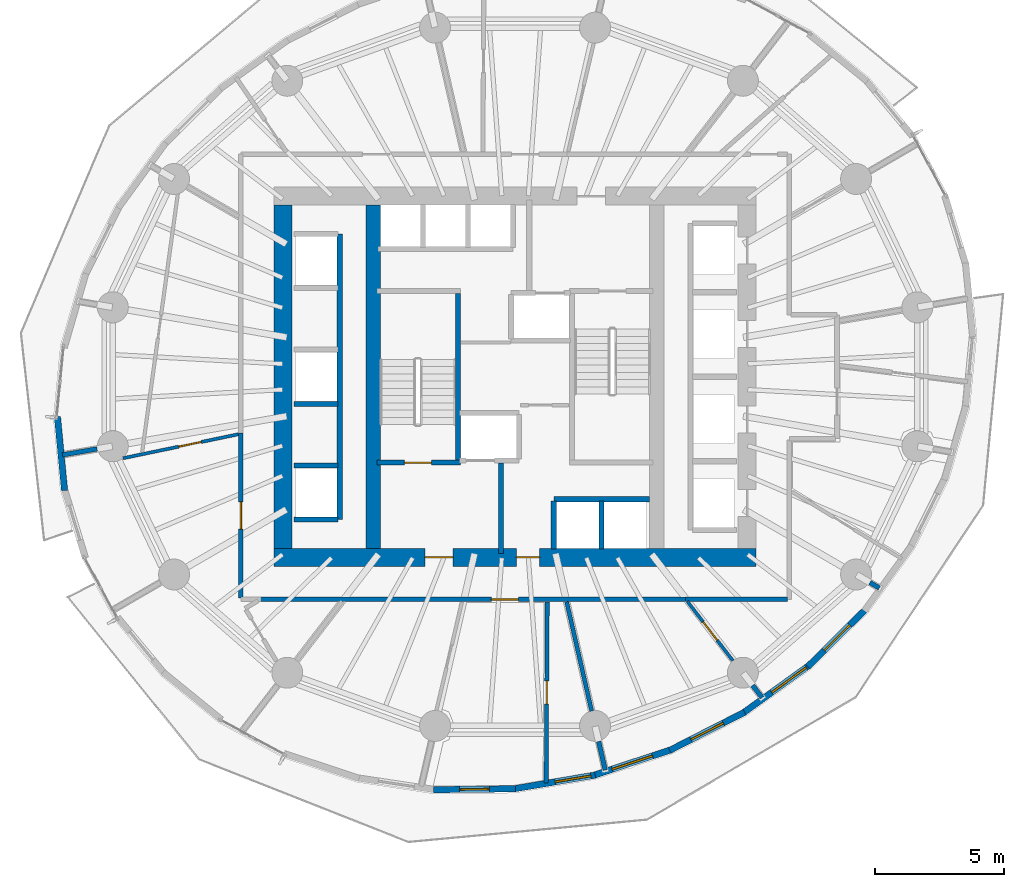
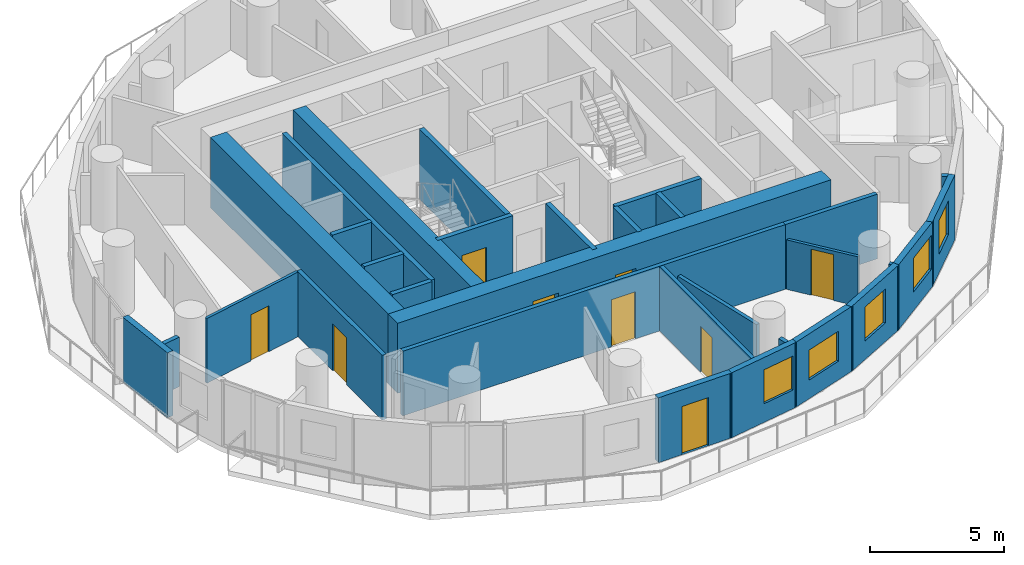
# One storey, part 7 of 14: 31 walls, 9 doors, 5 windows, 14 openings.
"""IFC4 building model written with IfcOpenShell, lengths in metres."""

from ifc_helpers import new_model, si_unit, direction, frame, frame_2d, origin, place, context, subcontext, project, spatial, rectangle, extrude, material, layer, layer_set, type_object, element, fill, save


model = new_model("IFC4")

# Units and contexts
model_context = context("Model", 3, precision=1e-05, world=origin(), true_north=direction((0.0, 1.0)))
body_context = subcontext(model_context, "Body", "Model", "MODEL_VIEW")
ifc_project = project(units=[si_unit("LENGTHUNIT", "METRE"), si_unit("AREAUNIT", "SQUARE_METRE"), si_unit("VOLUMEUNIT", "CUBIC_METRE"), si_unit("PLANEANGLEUNIT", "RADIAN"), si_unit("MASSUNIT", "GRAM", prefix="KILO")], contexts=[model_context])

# Site, building, storey
site_placement = place(None, origin())
site = spatial("IfcSite", under=ifc_project, at=site_placement, CompositionType="ELEMENT")
building_placement = place(site_placement, origin())
building = spatial("IfcBuilding", under=site, at=building_placement, Name="Veldorim Arch Residences", CompositionType="ELEMENT")
storey_placement = place(building_placement, frame((0.0, 0.0, 99.679931640625)))
storey = spatial("IfcBuildingStorey", under=building, at=storey_placement, Name="L29", CompositionType="ELEMENT", Elevation=99.679931640625)

# Wall, opening, door
ifc_material_1 = material(Name="Acoustic Gypsum Board", Category="gypsum")
ifc_layer_1 = layer(ifc_material_1, 0.125, Name="Acoustic Stud Room Partition Wall 125")
ifc_layer_set_1 = layer_set([ifc_layer_1], Name="Acoustic Gypsum Board")
wall_type_1 = type_object("IfcWallType", Name="Acoustic Stud Room Partition Wall 125", PredefinedType="PARTITIONING", material=ifc_layer_set_1)
wall_1_placement = place(storey_placement, frame((40.4423828125, 12.99365234375, 0.0), z_axis=(0.0, 0.0, 1.0), x_axis=(-0.608613879959, 0.793466536863, 0.0)))
wall_1 = element("IfcWall", 1, at=wall_1_placement, inside=storey, type_object=wall_type_1, Name="L29 interior wall WL-RES-L29-020", PredefinedType="PARTITIONING", context=body_context, shape_type="SweptSolid", body=[
    extrude(rectangle(XDim=2.89501953125, YDim=0.125, at=frame_2d((1.447509765625, 0.0))), origin(), (0.0, 0.0, 1.0), 2.2607421875),
])
opening_1_placement = place(wall_1_placement, frame((0.99755859375, 0.0, 0.0)))
opening_1 = element("IfcOpeningElement", 2, at=opening_1_placement, cuts=wall_1, Name="Opening DR-INT", PredefinedType="OPENING", context=body_context, shape_type="SweptSolid", body=[
    extrude(rectangle(XDim=0.89990234375, YDim=2.10009765625, at=frame_2d((0.449951171875, 1.050048828125))), frame((0.0, 0.072509765625, 0.0), z_axis=(0.0, -1.0, 0.0), x_axis=(1.0, 0.0, 0.0)), (0.0, 0.0, 1.0), 0.14501953125),
])
ifc_material_2 = material(Name="Engineered Timber", Category="wood")
door_type_1 = type_object("IfcDoorType", Name="Apartment Internal Room Timber Door 900x2100", OperationType="SINGLE_SWING_LEFT", PredefinedType="DOOR", material=ifc_material_2)
door_1_placement = place(opening_1_placement, origin())
door_1 = element("IfcDoor", 3, at=door_1_placement, inside=storey, type_object=door_type_1, Name="L29 interior door DR-RES-L29-007", OperationType="SINGLE_SWING_LEFT", OverallHeight=2.10009765625, OverallWidth=0.89990234375, PredefinedType="DOOR", context=body_context, shape_type="SweptSolid", body=[
    extrude(rectangle(XDim=0.89990234375, YDim=2.10009765625, at=frame_2d((0.449951171875, 1.050048828125))), frame((0.0, 0.02490234375, 0.0), z_axis=(0.0, -1.0, 0.0), x_axis=(1.0, 0.0, 0.0)), (0.0, 0.0, 1.0), 0.050048828125),
])
fill(opening_1, door_1)

wall_2_placement = place(storey_placement, frame((16.80126953125, 20.841796875, 0.0), z_axis=(0.0, 0.0, 1.0), x_axis=(0.979089254375, 0.203431147977, 0.0)))
wall_2 = element("IfcWall", 4, at=wall_2_placement, inside=storey, type_object=wall_type_1, Name="L29 interior wall WL-RES-L29-031", PredefinedType="PARTITIONING", context=body_context, shape_type="SweptSolid", body=[
    extrude(rectangle(XDim=4.56640625, YDim=0.125, at=frame_2d((2.283203125, 0.0))), origin(), (0.0, 0.0, 1.0), 2.955078125),
])
opening_2_placement = place(wall_2_placement, frame((2.1962890625, 0.0, 0.0)))
opening_2 = element("IfcOpeningElement", 5, at=opening_2_placement, cuts=wall_2, Name="Opening DR-INT", PredefinedType="OPENING", context=body_context, shape_type="SweptSolid", body=[
    extrude(rectangle(XDim=0.89990234375, YDim=2.10009765625, at=frame_2d((0.449951171875, 1.050048828125))), frame((0.0, 0.072509765625, 0.0), z_axis=(0.0, -1.0, 0.0), x_axis=(1.0, 0.0, 0.0)), (0.0, 0.0, 1.0), 0.14501953125),
])
door_2_placement = place(opening_2_placement, origin())
door_2 = element("IfcDoor", 6, at=door_2_placement, inside=storey, type_object=door_type_1, Name="L29 interior door DR-RES-L29-018", OperationType="SINGLE_SWING_RIGHT", OverallHeight=2.10009765625, OverallWidth=0.89990234375, PredefinedType="DOOR", context=body_context, shape_type="SweptSolid", body=[
    extrude(rectangle(XDim=0.89990234375, YDim=2.10009765625, at=frame_2d((0.449951171875, 1.050048828125))), frame((0.0, 0.02490234375, 0.0), z_axis=(0.0, -1.0, 0.0), x_axis=(1.0, 0.0, 0.0)), (0.0, 0.0, 1.0), 0.050048828125),
])
fill(opening_2, door_2)

# Walls
ifc_material_3 = material(Name="Lightweight Masonry Block & Gypsum", Category="masonry")
ifc_layer_2 = layer(ifc_material_3, 0.179931640625, Name="Compartment & Corridor Fire-Rated Party Wall 180")
ifc_layer_set_2 = layer_set([ifc_layer_2], Name="Lightweight Masonry Block & Gypsum")
wall_type_2 = type_object("IfcWallType", Name="Compartment & Corridor Fire-Rated Party Wall 180", PredefinedType="PARTITIONING", material=ifc_layer_set_2)
wall_3_placement = place(storey_placement, frame((15.79443359375, 21.202392578125, 0.0), z_axis=(0.0, 0.0, 1.0), x_axis=(-0.98540615772, -0.170219576807, 0.0)))
element("IfcWall", 7, at=wall_3_placement, inside=storey, type_object=wall_type_2, Name="L29 interior wall WL-PIER-L29-09", PredefinedType="PARTITIONING", context=body_context, shape_type="SweptSolid", body=[
    extrude(rectangle(XDim=1.359619140625, YDim=0.179931640625, at=frame_2d((0.6796875, 0.0))), origin(), (0.0, 0.0, 1.0), 2.2607421875),
])
wall_4_placement = place(storey_placement, frame((35.240478515625, 9.86083984375, 0.0), z_axis=(0.0, 0.0, 1.0), x_axis=(0.223325248633, -0.974743983476, 0.0)))
element("IfcWall", 8, at=wall_4_placement, inside=storey, type_object=wall_type_2, Name="L29 interior wall WL-PIER-L29-13", PredefinedType="PARTITIONING", context=body_context, shape_type="SweptSolid", body=[
    extrude(rectangle(XDim=1.13916015625, YDim=0.179931640625, at=frame_2d((0.569580078125, 0.0))), origin(), (0.0, 0.0, 1.0), 2.2607421875),
])
wall_5_placement = place(storey_placement, frame((41.2119140625, 12.034423828125, 0.0), z_axis=(0.0, 0.0, 1.0), x_axis=(0.609809319142, -0.792548165279, 0.0)))
element("IfcWall", 9, at=wall_5_placement, inside=storey, type_object=wall_type_2, Name="L29 interior wall WL-PIER-L29-14", PredefinedType="PARTITIONING", context=body_context, shape_type="SweptSolid", body=[
    extrude(rectangle(XDim=0.5986328125, YDim=0.179931640625, at=frame_2d((0.29931640625, 0.0))), origin(), (0.0, 0.0, 1.0), 2.2607421875),
])
wall_6_placement = place(storey_placement, frame((45.756591796875, 16.022216796875, 0.0), z_axis=(0.0, 0.0, 1.0), x_axis=(0.864926134071, -0.501899175733, 0.0)))
element("IfcWall", 10, at=wall_6_placement, inside=storey, type_object=wall_type_2, Name="L29 interior wall WL-PIER-L29-15", PredefinedType="PARTITIONING", context=body_context, shape_type="SweptSolid", body=[
    extrude(rectangle(XDim=0.423583984375, YDim=0.179931640625, at=frame_2d((0.2119140625, 0.0))), origin(), (0.0, 0.0, 1.0), 2.2607421875),
])

# Wall, opening, door
wall_7_placement = place(storey_placement, frame((38.644775390625, 15.3701171875, 0.0), z_axis=(0.0, 0.0, 1.0), x_axis=(-1.0, 0.0, 0.0)))
wall_7 = element("IfcWall", 11, at=wall_7_placement, inside=storey, type_object=wall_type_2, Name="L29 interior wall WL-RES-L29-001", PredefinedType="PARTITIONING", context=body_context, shape_type="SweptSolid", body=[
    extrude(rectangle(XDim=16.556640625, YDim=0.179931640625, at=frame_2d((8.2783203125, 0.0))), origin(), (0.0, 0.0, 1.0), 2.955078125),
])
opening_3_placement = place(wall_7_placement, frame((6.51318359375, 0.0, 0.0)))
opening_3 = element("IfcOpeningElement", 12, at=opening_3_placement, cuts=wall_7, Name="Opening DR-FLT", PredefinedType="OPENING", context=body_context, shape_type="SweptSolid", body=[
    extrude(rectangle(XDim=1.050048828125, YDim=2.14990234375, at=frame_2d((0.52490234375, 1.074951171875))), frame((0.0, 0.099853515625, 0.0), z_axis=(0.0, -1.0, 0.0), x_axis=(1.0, 0.0, 0.0)), (0.0, 0.0, 1.0), 0.199951171875),
])
ifc_material_4 = material(Name="Fire-Rated Timber", Category="wood")
door_type_2 = type_object("IfcDoorType", Name="Apartment Entrance Solid-Core Fire Door 1050x2150", OperationType="SINGLE_SWING_LEFT", PredefinedType="DOOR", material=ifc_material_4)
door_3_placement = place(opening_3_placement, origin())
door_3 = element("IfcDoor", 13, at=door_3_placement, inside=storey, type_object=door_type_2, Name="L29 interior door DR-RES-L29-001", OperationType="SINGLE_SWING_LEFT", OverallHeight=2.14990234375, OverallWidth=1.050048828125, PredefinedType="DOOR", context=body_context, shape_type="SweptSolid", body=[
    extrude(rectangle(XDim=1.050048828125, YDim=2.14990234375, at=frame_2d((0.52490234375, 1.074951171875))), frame((0.0, 0.02490234375, 0.0), z_axis=(0.0, -1.0, 0.0), x_axis=(1.0, 0.0, 0.0)), (0.0, 0.0, 1.0), 0.050048828125),
])
fill(opening_3, door_3)

# Wall
wall_8_placement = place(storey_placement, frame((42.570068359375, 15.3701171875, 0.0), z_axis=(0.0, 0.0, 1.0), x_axis=(-1.0, 0.0, 0.0)))
element("IfcWall", 14, at=wall_8_placement, inside=storey, type_object=wall_type_2, Name="L29 interior wall WL-RES-L29-005", PredefinedType="PARTITIONING", context=body_context, shape_type="SweptSolid", body=[
    extrude(rectangle(XDim=3.970458984375, YDim=0.179931640625, at=frame_2d((1.9853515625, 0.0))), origin(), (0.0, 0.0, 1.0), 2.955078125),
])

# Wall, opening, door
wall_9_placement = place(storey_placement, frame((21.3701171875, 15.429931640625, 0.0), z_axis=(0.0, 0.0, 1.0), x_axis=(0.0, 1.0, 0.0)))
wall_9 = element("IfcWall", 15, at=wall_9_placement, inside=storey, type_object=wall_type_2, Name="L29 interior wall WL-RES-L29-012", PredefinedType="PARTITIONING", context=body_context, shape_type="SweptSolid", body=[
    extrude(rectangle(XDim=6.381103515625, YDim=0.179931640625, at=frame_2d((3.1904296875, 0.0))), origin(), (0.0, 0.0, 1.0), 2.955078125),
])
opening_4_placement = place(wall_9_placement, frame((2.66552734375, 0.0, 0.0)))
opening_4 = element("IfcOpeningElement", 16, at=opening_4_placement, cuts=wall_9, Name="Opening DR-FLT", PredefinedType="OPENING", context=body_context, shape_type="SweptSolid", body=[
    extrude(rectangle(XDim=1.050048828125, YDim=2.14990234375, at=frame_2d((0.52490234375, 1.074951171875))), frame((0.0, 0.099853515625, 0.0), z_axis=(0.0, -1.0, 0.0), x_axis=(1.0, 0.0, 0.0)), (0.0, 0.0, 1.0), 0.199951171875),
])
door_4_placement = place(opening_4_placement, origin())
door_4 = element("IfcDoor", 17, at=door_4_placement, inside=storey, type_object=door_type_2, Name="L29 interior door DR-RES-L29-016", OperationType="SINGLE_SWING_RIGHT", OverallHeight=2.14990234375, OverallWidth=1.050048828125, PredefinedType="DOOR", context=body_context, shape_type="SweptSolid", body=[
    extrude(rectangle(XDim=1.050048828125, YDim=2.14990234375, at=frame_2d((0.52490234375, 1.074951171875))), frame((0.0, 0.02490234375, 0.0), z_axis=(0.0, -1.0, 0.0), x_axis=(1.0, 0.0, 0.0)), (0.0, 0.0, 1.0), 0.050048828125),
])
fill(opening_4, door_4)

# Wall
ifc_material_5 = material(Name="Concrete C50/60", Category="concrete")
ifc_layer_3 = layer(ifc_material_5, 0.199951171875, Name="Core Stair & Lift Shaft Enclosure Wall 200")
ifc_layer_set_3 = layer_set([ifc_layer_3], Name="Concrete C50/60")
wall_type_3 = type_object("IfcWallType", Name="Core Stair & Lift Shaft Enclosure Wall 200", PredefinedType="SHEAR", material=ifc_layer_set_3)
wall_10_placement = place(storey_placement, frame((29.7900390625, 20.780029296875, 0.0), z_axis=(0.0, 0.0, 1.0), x_axis=(0.0, 1.0, 0.0)))
element("IfcWall", 18, at=wall_10_placement, inside=storey, type_object=wall_type_3, Name="L29 shaft wall WL-SHF-L29-ST1-E", PredefinedType="SHEAR", context=body_context, shape_type="SweptSolid", body=[
    extrude(rectangle(XDim=6.43994140625, YDim=0.199951171875, at=frame_2d((3.219970703125, 0.0))), origin(), (0.0, 0.0, 1.0), 3.199951171875),
])

# Wall, opening, door
wall_11_placement = place(storey_placement, frame((26.64990234375, 20.669921875, 0.0), z_axis=(0.0, 0.0, 1.0), x_axis=(1.0, 0.0, 0.0)))
wall_11 = element("IfcWall", 19, at=wall_11_placement, inside=storey, type_object=wall_type_3, Name="L29 shaft wall WL-SHF-L29-ST1-S", PredefinedType="SHEAR", context=body_context, shape_type="SweptSolid", body=[
    extrude(rectangle(XDim=3.239990234375, YDim=0.199951171875, at=frame_2d((1.6201171875, 0.0))), origin(), (0.0, 0.0, 1.0), 3.199951171875),
])
opening_5_placement = place(wall_11_placement, frame((1.054931640625, 0.0, 0.0)))
opening_5 = element("IfcOpeningElement", 20, at=opening_5_placement, cuts=wall_11, Name="Opening DR-ST", PredefinedType="OPENING", context=body_context, shape_type="SweptSolid", body=[
    extrude(rectangle(XDim=1.050048828125, YDim=2.14990234375, at=frame_2d((0.52490234375, 1.074951171875))), frame((0.0, 0.10986328125, 0.0), z_axis=(0.0, -1.0, 0.0), x_axis=(1.0, 0.0, 0.0)), (0.0, 0.0, 1.0), 0.219970703125),
])
ifc_material_6 = material(Name="Fire-Rated Steel", Category="steel")
door_type_3 = type_object("IfcDoorType", Name="Exit Staircase Self-Closing Fire Door 1050x2150", OperationType="SINGLE_SWING_LEFT", PredefinedType="DOOR", material=ifc_material_6)
door_5_placement = place(opening_5_placement, origin())
door_5 = element("IfcDoor", 21, at=door_5_placement, inside=storey, type_object=door_type_3, Name="L29 interior door DR-L29-ST1", OperationType="SINGLE_SWING_LEFT", OverallHeight=2.14990234375, OverallWidth=1.050048828125, PredefinedType="DOOR", context=body_context, shape_type="SweptSolid", body=[
    extrude(rectangle(XDim=1.050048828125, YDim=2.14990234375, at=frame_2d((0.52490234375, 1.074951171875))), frame((0.0, 0.02490234375, 0.0), z_axis=(0.0, -1.0, 0.0), x_axis=(1.0, 0.0, 0.0)), (0.0, 0.0, 1.0), 0.050048828125),
])
fill(opening_5, door_5)

# Walls
wall_12_placement = place(storey_placement, frame((31.449951171875, 17.14990234375, 0.0), z_axis=(0.0, 0.0, 1.0), x_axis=(0.0, 1.0, 0.0)))
element("IfcWall", 22, at=wall_12_placement, inside=storey, type_object=wall_type_3, Name="L29 shaft wall WL-FFL1-L29-E", PredefinedType="SHEAR", context=body_context, shape_type="SweptSolid", body=[
    extrude(rectangle(XDim=3.5, YDim=0.199951171875, at=frame_2d((1.75, 0.0))), origin(), (0.0, 0.0, 1.0), 3.199951171875),
])
wall_13_placement = place(storey_placement, frame((25.199951171875, 18.4599609375, 0.0), z_axis=(0.0, 0.0, 1.0), x_axis=(0.0, 1.0, 0.0)))
element("IfcWall", 23, at=wall_13_placement, inside=storey, type_object=wall_type_3, Name="L29 shaft wall WL-B2-L29-E", PredefinedType="SHEAR", context=body_context, shape_type="SweptSolid", body=[
    extrude(rectangle(XDim=11.080078125, YDim=0.199951171875, at=frame_2d((5.5400390625, 0.0))), origin(), (0.0, 0.0, 1.0), 3.199951171875),
])
for number, where, z_axis, x_axis, name in (
    (24, (23.419921875, 18.4599609375, 0.0), (0.0, 0.0, 1.0), (1.0, 0.0, 0.0), "L29 shaft wall WL-B2-L29-S"),
    (25, (23.419921875, 20.56005859375, 0.0), (0.0, 0.0, 1.0), (1.0, 0.0, 0.0), "L29 shaft wall WL-B2-L29-D1A"),
    (26, (23.419921875, 22.93994140625, 0.0), (0.0, 0.0, 1.0), (1.0, 0.0, 0.0), "L29 shaft wall WL-B2-L29-D1B"),
):
    element("IfcWall", number, at=place(storey_placement, frame(where, z_axis=z_axis, x_axis=x_axis)), inside=storey, type_object=wall_type_3, Name=name, PredefinedType="SHEAR", context=body_context, shape_type="SweptSolid", body=[
        extrude(rectangle(XDim=1.7099609375, YDim=0.199951171875, at=frame_2d((0.85498046875, 0.0))), origin(), (0.0, 0.0, 1.0), 3.199951171875),
    ])
wall_14_placement = place(storey_placement, frame((33.5, 19.25, 0.0), z_axis=(0.0, 0.0, 1.0), x_axis=(1.0, 0.0, 0.0)))
element("IfcWall", 27, at=wall_14_placement, inside=storey, type_object=wall_type_3, Name="L29 shaft wall WL-OL-L29-N", PredefinedType="SHEAR", context=body_context, shape_type="SweptSolid", body=[
    extrude(rectangle(XDim=3.719970703125, YDim=0.199951171875, at=frame_2d((1.85986328125, 0.0))), origin(), (0.0, 0.0, 1.0), 3.199951171875),
])
for number, where, z_axis, x_axis, name in (
    (28, (33.5, 17.320068359375, 0.0), (0.0, 0.0, 1.0), (0.0, 1.0, 0.0), "L29 shaft wall WL-OL-L29-W"),
    (29, (35.35009765625, 17.320068359375, 0.0), (0.0, 0.0, 1.0), (0.0, 1.0, 0.0), "L29 shaft wall WL-OL-L29-D1"),
):
    element("IfcWall", number, at=place(storey_placement, frame(where, z_axis=z_axis, x_axis=x_axis)), inside=storey, type_object=wall_type_3, Name=name, PredefinedType="SHEAR", context=body_context, shape_type="SweptSolid", body=[
        extrude(rectangle(XDim=1.85986328125, YDim=0.199951171875, at=frame_2d((0.929931640625, 0.0))), origin(), (0.0, 0.0, 1.0), 3.199951171875),
    ])
ifc_material_7 = material(Name="Concrete C60/75", Category="concrete")
ifc_layer_4 = layer(ifc_material_7, 0.56005859375, Name="Internal Core Shear Web Wall 560")
ifc_layer_set_4 = layer_set([ifc_layer_4], Name="Concrete C60/75")
wall_type_4 = type_object("IfcWallType", Name="Internal Core Shear Web Wall 560", PredefinedType="SHEAR", material=ifc_layer_set_4)
wall_15_placement = place(storey_placement, frame((26.5, 17.35009765625, 0.0), z_axis=(0.0, 0.0, 1.0), x_axis=(0.0, 1.0, 0.0)))
element("IfcWall", 30, at=wall_15_placement, inside=storey, type_object=wall_type_4, Name="L29 core west internal shear web", PredefinedType="SHEAR", context=body_context, shape_type="SweptSolid", body=[
    extrude(rectangle(XDim=13.2998046875, YDim=0.56005859375, at=frame_2d((6.64990234375, 0.0))), origin(), (0.0, 0.0, 1.0), 3.199951171875),
])

# Wall, openings, doors
ifc_material_8 = material(Name="Concrete C60/75", Category="concrete")
ifc_layer_5 = layer(ifc_material_8, 0.699951171875, Name="Mid-Lower Central Core Shear Wall 700")
ifc_layer_set_5 = layer_set([ifc_layer_5], Name="Concrete C60/75")
wall_type_5 = type_object("IfcWallType", Name="Mid-Lower Central Core Shear Wall 700", PredefinedType="SHEAR", material=ifc_layer_set_5)
wall_16_placement = place(storey_placement, frame((22.64990234375, 17.0, 0.0), z_axis=(0.0, 0.0, 1.0), x_axis=(1.0, 0.0, 0.0)))
wall_16 = element("IfcWall", 31, at=wall_16_placement, inside=storey, type_object=wall_type_5, Name="L29 central core south shear wall", PredefinedType="SHEAR", context=body_context, shape_type="SweptSolid", body=[
    extrude(rectangle(XDim=18.7001953125, YDim=0.699951171875, at=frame_2d((9.35009765625, 0.0))), origin(), (0.0, 0.0, 1.0), 3.199951171875),
])
opening_6_placement = place(wall_16_placement, frame((5.85009765625, 0.0, 0.0)))
opening_6 = element("IfcOpeningElement", 32, at=opening_6_placement, cuts=wall_16, Name="Opening DR-FFL", PredefinedType="OPENING", context=body_context, shape_type="SweptSolid", body=[
    extrude(rectangle(XDim=1.10009765625, YDim=2.14990234375, at=frame_2d((0.550048828125, 1.074951171875))), frame((0.0, 0.35986328125, 0.0), z_axis=(0.0, -1.0, 0.0), x_axis=(1.0, 0.0, 0.0)), (0.0, 0.0, 1.0), 0.719970703125),
])
opening_7_placement = place(wall_16_placement, frame((9.39990234375, 0.0, 0.0)))
opening_7 = element("IfcOpeningElement", 33, at=opening_7_placement, cuts=wall_16, Name="Opening DR-SVC", PredefinedType="OPENING", context=body_context, shape_type="SweptSolid", body=[
    extrude(rectangle(XDim=0.89990234375, YDim=2.10009765625, at=frame_2d((0.449951171875, 1.050048828125))), frame((0.0, 0.35986328125, 0.0), z_axis=(0.0, -1.0, 0.0), x_axis=(1.0, 0.0, 0.0)), (0.0, 0.0, 1.0), 0.719970703125),
])
ifc_material_9 = material(Name="Fire-Rated Steel & Vision Glass", Category="steel")
door_type_4 = type_object("IfcDoorType", Name="Firefighting Lobby Smoke-Stop Fire Door 1100x2150", OperationType="SINGLE_SWING_LEFT", PredefinedType="DOOR", material=ifc_material_9)
door_6_placement = place(opening_6_placement, origin())
door_6 = element("IfcDoor", 34, at=door_6_placement, inside=storey, type_object=door_type_4, Name="L29 interior door DR-L29-FFL1", OperationType="SINGLE_SWING_RIGHT", OverallHeight=2.14990234375, OverallWidth=1.10009765625, PredefinedType="DOOR", context=body_context, shape_type="SweptSolid", body=[
    extrude(rectangle(XDim=1.10009765625, YDim=2.14990234375, at=frame_2d((0.550048828125, 1.074951171875))), frame((0.0, 0.02490234375, 0.0), z_axis=(0.0, -1.0, 0.0), x_axis=(1.0, 0.0, 0.0)), (0.0, 0.0, 1.0), 0.050048828125),
])
fill(opening_6, door_6)
ifc_material_10 = material(Name="Fire-Rated Steel", Category="steel")
door_type_5 = type_object("IfcDoorType", Name="Riser, Shelter & Plant Room Rated Steel Door 900x2100", OperationType="SINGLE_SWING_LEFT", PredefinedType="DOOR", material=ifc_material_10)
door_7_placement = place(opening_7_placement, origin())
door_7 = element("IfcDoor", 35, at=door_7_placement, inside=storey, type_object=door_type_5, Name="L29 interior door DR-L29-COR-ANC", OperationType="SINGLE_SWING_LEFT", OverallHeight=2.10009765625, OverallWidth=0.89990234375, PredefinedType="DOOR", context=body_context, shape_type="SweptSolid", body=[
    extrude(rectangle(XDim=0.89990234375, YDim=2.10009765625, at=frame_2d((0.449951171875, 1.050048828125))), frame((0.0, 0.02490234375, 0.0), z_axis=(0.0, -1.0, 0.0), x_axis=(1.0, 0.0, 0.0)), (0.0, 0.0, 1.0), 0.050048828125),
])
fill(opening_7, door_7)

# Walls
wall_17_placement = place(storey_placement, frame((23.0, 17.35009765625, 0.0), z_axis=(0.0, 0.0, 1.0), x_axis=(0.0, 1.0, 0.0)))
element("IfcWall", 36, at=wall_17_placement, inside=storey, type_object=wall_type_5, Name="L29 central core west shear wall", PredefinedType="SHEAR", context=body_context, shape_type="SweptSolid", body=[
    extrude(rectangle(XDim=13.2998046875, YDim=0.699951171875, at=frame_2d((6.64990234375, 0.0))), origin(), (0.0, 0.0, 1.0), 3.199951171875),
])
ifc_material_11 = material(Name="Precast concrete C40/50", Category="concrete")
ifc_layer_6 = layer(ifc_material_11, 0.25, Name="Tower Terracotta Spandrel & Pier Wall 250")
ifc_layer_set_6 = layer_set([ifc_layer_6], Name="Precast concrete C40/50")
wall_type_6 = type_object("IfcWallType", Name="Tower Terracotta Spandrel & Pier Wall 250", PredefinedType="SOLIDWALL", material=ifc_layer_set_6)
wall_18_placement = place(storey_placement, frame((14.533447265625, 19.587890625, 0.0), z_axis=(0.0, 0.0, 1.0), x_axis=(-0.096332339466, 0.995349225334, 0.0)))
element("IfcWall", 37, at=wall_18_placement, inside=storey, type_object=wall_type_6, Name="L29 terracotta facade wall 17", PredefinedType="SOLIDWALL", context=body_context, shape_type="SweptSolid", body=[
    extrude(rectangle(XDim=2.8740234375, YDim=0.25, at=frame_2d((1.43701171875, 0.0))), origin(), (0.0, 0.0, 1.0), 2.9599609375),
])

# Wall, opening, door
wall_19_placement = place(storey_placement, frame((32.02490234375, 8.0263671875, 0.0), z_axis=(0.0, 0.0, 1.0), x_axis=(-0.999936786044, -0.011243839023, 0.0)))
wall_19 = element("IfcWall", 38, at=wall_19_placement, inside=storey, type_object=wall_type_6, Name="L29 terracotta facade wall 25", PredefinedType="SOLIDWALL", context=body_context, shape_type="SweptSolid", body=[
    extrude(rectangle(XDim=3.19189453125, YDim=0.25, at=frame_2d((1.595947265625, 0.0))), origin(), (0.0, 0.0, 1.0), 2.9599609375),
])
opening_8_placement = place(wall_19_placement, frame((1.02099609375, 0.0, 0.0)))
opening_8 = element("IfcOpeningElement", 39, at=opening_8_placement, cuts=wall_19, Name="Opening BL-DR", PredefinedType="OPENING", context=body_context, shape_type="SweptSolid", body=[
    extrude(rectangle(XDim=1.14990234375, YDim=2.199951171875, at=frame_2d((0.574951171875, 1.10009765625))), frame((0.0, 0.135009765625, 0.0), z_axis=(0.0, -1.0, 0.0), x_axis=(1.0, 0.0, 0.0)), (0.0, 0.0, 1.0), 0.27001953125),
])
ifc_material_12 = material(Name="Aluminium & Low-E Glass", Category="aluminium")
door_type_6 = type_object("IfcDoorType", Name="Glazed Planted Balcony Door 1150x2200", OperationType="SINGLE_SWING_LEFT", PredefinedType="DOOR", material=ifc_material_12)
door_8_placement = place(opening_8_placement, origin())
door_8 = element("IfcDoor", 40, at=door_8_placement, inside=storey, type_object=door_type_6, Name="L29 glazed outdoor terrace door BALC-2", OperationType="SINGLE_SWING_LEFT", OverallHeight=2.199951171875, OverallWidth=1.14990234375, PredefinedType="DOOR", context=body_context, shape_type="SweptSolid", body=[
    extrude(rectangle(XDim=1.14990234375, YDim=2.199951171875, at=frame_2d((0.574951171875, 1.10009765625))), frame((0.0, 0.02490234375, 0.0), z_axis=(0.0, -1.0, 0.0), x_axis=(1.0, 0.0, 0.0)), (0.0, 0.0, 1.0), 0.050048828125),
])
fill(opening_8, door_8)

# Wall, opening, window
wall_20_placement = place(storey_placement, frame((35.107421875, 8.555419921875, 0.0), z_axis=(0.0, 0.0, 1.0), x_axis=(-0.986043062305, -0.166490478044, 0.0)))
wall_20 = element("IfcWall", 41, at=wall_20_placement, inside=storey, type_object=wall_type_6, Name="L29 terracotta facade wall 26", PredefinedType="SOLIDWALL", context=body_context, shape_type="SweptSolid", body=[
    extrude(rectangle(XDim=3.236328125, YDim=0.25, at=frame_2d((1.6181640625, 0.0))), origin(), (0.0, 0.0, 1.0), 2.9599609375),
])
opening_9_placement = place(wall_20_placement, frame((0.175048828125, 0.0, 0.85009765625)))
opening_9 = element("IfcOpeningElement", 42, at=opening_9_placement, cuts=wall_20, Name="Opening WN-02", PredefinedType="OPENING", context=body_context, shape_type="SweptSolid", body=[
    extrude(rectangle(XDim=1.39990234375, YDim=1.550048828125, at=frame_2d((0.699951171875, 0.77490234375))), frame((0.0, 0.135009765625, 0.0), z_axis=(0.0, -1.0, 0.0), x_axis=(1.0, 0.0, 0.0)), (0.0, 0.0, 1.0), 0.27001953125),
])
ifc_material_13 = material(Name="Laminated Low-E Glass", Category="glass")
window_type_1 = type_object("IfcWindowType", Name="Residential Casement Window 1400x1550", PartitioningType="SINGLE_PANEL", PredefinedType="WINDOW", material=ifc_material_13)
window_1_placement = place(opening_9_placement, origin())
window_1 = element("IfcWindow", 43, at=window_1_placement, inside=storey, type_object=window_type_1, Name="L29 solar-control facade window 26", OverallHeight=1.550048828125, OverallWidth=1.39990234375, PartitioningType="SINGLE_PANEL", PredefinedType="WINDOW", context=body_context, shape_type="SweptSolid", body=[
    extrude(rectangle(XDim=1.39990234375, YDim=1.550048828125, at=frame_2d((0.699951171875, 0.77490234375))), frame((0.0, 0.030029296875, 0.0), z_axis=(0.0, -1.0, 0.0), x_axis=(1.0, 0.0, 0.0)), (0.0, 0.0, 1.0), 0.06005859375),
])
fill(opening_9, window_1)

wall_21_placement = place(storey_placement, frame((38.095703125, 9.5546875, 0.0), z_axis=(0.0, 0.0, 1.0), x_axis=(-0.949206293356, -0.314654433709, 0.0)))
wall_21 = element("IfcWall", 44, at=wall_21_placement, inside=storey, type_object=wall_type_6, Name="L29 terracotta facade wall 27", PredefinedType="SOLIDWALL", context=body_context, shape_type="SweptSolid", body=[
    extrude(rectangle(XDim=3.259521484375, YDim=0.25, at=frame_2d((1.6298828125, 0.0))), origin(), (0.0, 0.0, 1.0), 2.9599609375),
])
opening_10_placement = place(wall_21_placement, frame((0.804931640625, 0.0, 0.85009765625)))
opening_10 = element("IfcOpeningElement", 45, at=opening_10_placement, cuts=wall_21, Name="Opening WN-03", PredefinedType="OPENING", context=body_context, shape_type="SweptSolid", body=[
    extrude(rectangle(XDim=1.64990234375, YDim=1.3701171875, at=frame_2d((0.824951171875, 0.68505859375))), frame((0.0, 0.135009765625, 0.0), z_axis=(0.0, -1.0, 0.0), x_axis=(1.0, 0.0, 0.0)), (0.0, 0.0, 1.0), 0.27001953125),
])
ifc_material_14 = material(Name="Laminated Low-E Glass", Category="glass")
window_type_2 = type_object("IfcWindowType", Name="Residential Wide Window 1650x1550", PartitioningType="SINGLE_PANEL", PredefinedType="WINDOW", material=ifc_material_14)
window_2_placement = place(opening_10_placement, origin())
window_2 = element("IfcWindow", 46, at=window_2_placement, inside=storey, type_object=window_type_2, Name="L29 solar-control facade window 27", OverallHeight=1.3701171875, OverallWidth=1.64990234375, PartitioningType="SINGLE_PANEL", PredefinedType="WINDOW", context=body_context, shape_type="SweptSolid", body=[
    extrude(rectangle(XDim=1.64990234375, YDim=1.3701171875, at=frame_2d((0.824951171875, 0.68505859375))), frame((0.0, 0.030029296875, 0.0), z_axis=(0.0, -1.0, 0.0), x_axis=(1.0, 0.0, 0.0)), (0.0, 0.0, 1.0), 0.06005859375),
])
fill(opening_10, window_2)

wall_22_placement = place(storey_placement, frame((40.89892578125, 10.99365234375, 0.0), z_axis=(0.0, 0.0, 1.0), x_axis=(-0.89081817606, -0.454359964347, 0.0)))
wall_22 = element("IfcWall", 47, at=wall_22_placement, inside=storey, type_object=wall_type_6, Name="L29 terracotta facade wall 28", PredefinedType="SOLIDWALL", context=body_context, shape_type="SweptSolid", body=[
    extrude(rectangle(XDim=3.259521484375, YDim=0.25, at=frame_2d((1.6298828125, 0.0))), origin(), (0.0, 0.0, 1.0), 2.9599609375),
])
opening_11_placement = place(wall_22_placement, frame((0.929931640625, 0.0, 0.85009765625)))
opening_11 = element("IfcOpeningElement", 48, at=opening_11_placement, cuts=wall_22, Name="Opening WN-02", PredefinedType="OPENING", context=body_context, shape_type="SweptSolid", body=[
    extrude(rectangle(XDim=1.39990234375, YDim=1.550048828125, at=frame_2d((0.699951171875, 0.77490234375))), frame((0.0, 0.135009765625, 0.0), z_axis=(0.0, -1.0, 0.0), x_axis=(1.0, 0.0, 0.0)), (0.0, 0.0, 1.0), 0.27001953125),
])
window_3_placement = place(opening_11_placement, origin())
window_3 = element("IfcWindow", 49, at=window_3_placement, inside=storey, type_object=window_type_1, Name="L29 solar-control facade window 28", OverallHeight=1.550048828125, OverallWidth=1.39990234375, PartitioningType="SINGLE_PANEL", PredefinedType="WINDOW", context=body_context, shape_type="SweptSolid", body=[
    extrude(rectangle(XDim=1.39990234375, YDim=1.550048828125, at=frame_2d((0.699951171875, 0.77490234375))), frame((0.0, 0.030029296875, 0.0), z_axis=(0.0, -1.0, 0.0), x_axis=(1.0, 0.0, 0.0)), (0.0, 0.0, 1.0), 0.06005859375),
])
fill(opening_11, window_3)

wall_23_placement = place(storey_placement, frame((43.431640625, 12.828857421875, 0.0), z_axis=(0.0, 0.0, 1.0), x_axis=(-0.81131534838, -0.584608762749, 0.0)))
wall_23 = element("IfcWall", 50, at=wall_23_placement, inside=storey, type_object=wall_type_6, Name="L29 terracotta facade wall 29", PredefinedType="SOLIDWALL", context=body_context, shape_type="SweptSolid", body=[
    extrude(rectangle(XDim=3.236083984375, YDim=0.25, at=frame_2d((1.6181640625, 0.0))), origin(), (0.0, 0.0, 1.0), 2.9599609375),
])
opening_12_placement = place(wall_23_placement, frame((0.175048828125, 0.0, 0.85009765625)))
opening_12 = element("IfcOpeningElement", 51, at=opening_12_placement, cuts=wall_23, Name="Opening WN-03", PredefinedType="OPENING", context=body_context, shape_type="SweptSolid", body=[
    extrude(rectangle(XDim=1.64990234375, YDim=1.550048828125, at=frame_2d((0.824951171875, 0.77490234375))), frame((0.0, 0.135009765625, 0.0), z_axis=(0.0, -1.0, 0.0), x_axis=(1.0, 0.0, 0.0)), (0.0, 0.0, 1.0), 0.27001953125),
])
window_4_placement = place(opening_12_placement, origin())
window_4 = element("IfcWindow", 52, at=window_4_placement, inside=storey, type_object=window_type_2, Name="L29 solar-control facade window 29", OverallHeight=1.550048828125, OverallWidth=1.64990234375, PartitioningType="SINGLE_PANEL", PredefinedType="WINDOW", context=body_context, shape_type="SweptSolid", body=[
    extrude(rectangle(XDim=1.64990234375, YDim=1.550048828125, at=frame_2d((0.824951171875, 0.77490234375))), frame((0.0, 0.030029296875, 0.0), z_axis=(0.0, -1.0, 0.0), x_axis=(1.0, 0.0, 0.0)), (0.0, 0.0, 1.0), 0.06005859375),
])
fill(opening_12, window_4)

wall_24_placement = place(storey_placement, frame((45.6162109375, 15.004150390625, 0.0), z_axis=(0.0, 0.0, 1.0), x_axis=(-0.710540573889, -0.703656232017, 0.0)))
wall_24 = element("IfcWall", 53, at=wall_24_placement, inside=storey, type_object=wall_type_6, Name="L29 terracotta facade wall 30", PredefinedType="SOLIDWALL", context=body_context, shape_type="SweptSolid", body=[
    extrude(rectangle(XDim=3.191650390625, YDim=0.25, at=frame_2d((1.595703125, 0.0))), origin(), (0.0, 0.0, 1.0), 2.9599609375),
])
opening_13_placement = place(wall_24_placement, frame((0.89599609375, 0.0, 0.85009765625)))
opening_13 = element("IfcOpeningElement", 54, at=opening_13_placement, cuts=wall_24, Name="Opening WN-02", PredefinedType="OPENING", context=body_context, shape_type="SweptSolid", body=[
    extrude(rectangle(XDim=1.39990234375, YDim=1.550048828125, at=frame_2d((0.699951171875, 0.77490234375))), frame((0.0, 0.135009765625, 0.0), z_axis=(0.0, -1.0, 0.0), x_axis=(1.0, 0.0, 0.0)), (0.0, 0.0, 1.0), 0.27001953125),
])
window_5_placement = place(opening_13_placement, origin())
window_5 = element("IfcWindow", 55, at=window_5_placement, inside=storey, type_object=window_type_1, Name="L29 solar-control facade window 30", OverallHeight=1.550048828125, OverallWidth=1.39990234375, PartitioningType="SINGLE_PANEL", PredefinedType="WINDOW", context=body_context, shape_type="SweptSolid", body=[
    extrude(rectangle(XDim=1.39990234375, YDim=1.550048828125, at=frame_2d((0.699951171875, 0.77490234375))), frame((0.0, 0.030029296875, 0.0), z_axis=(0.0, -1.0, 0.0), x_axis=(1.0, 0.0, 0.0)), (0.0, 0.0, 1.0), 0.06005859375),
])
fill(opening_13, window_5)

# Wall, opening, door
ifc_material_15 = material(Name="Moisture-Resistant Gypsum & Stud", Category="gypsum")
ifc_layer_7 = layer(ifc_material_15, 0.159912109375, Name="Wet-Area Moisture-Resistant Plumbing Wall 160")
ifc_layer_set_7 = layer_set([ifc_layer_7], Name="Moisture-Resistant Gypsum & Stud")
wall_type_7 = type_object("IfcWallType", Name="Wet-Area Moisture-Resistant Plumbing Wall 160", PredefinedType="PLUMBINGWALL", material=ifc_layer_set_7)
wall_25_placement = place(storey_placement, frame((33.248291015625, 15.27001953125, 0.0), z_axis=(0.0, 0.0, 1.0), x_axis=(-0.006016026892, -0.999981903546, 0.0)))
wall_25 = element("IfcWall", 56, at=wall_25_placement, inside=storey, type_object=wall_type_7, Name="L29 interior wall WL-RES-L29-013", PredefinedType="PLUMBINGWALL", context=body_context, shape_type="SweptSolid", body=[
    extrude(rectangle(XDim=7.020751953125, YDim=0.159912109375, at=frame_2d((3.51025390625, 0.0))), origin(), (0.0, 0.0, 1.0), 2.955078125),
])
opening_14_placement = place(wall_25_placement, frame((3.060302734375, 0.0, 0.0)))
opening_14 = element("IfcOpeningElement", 57, at=opening_14_placement, cuts=wall_25, Name="Opening DR-WC", PredefinedType="OPENING", context=body_context, shape_type="SweptSolid", body=[
    extrude(rectangle(XDim=0.89990234375, YDim=2.10009765625, at=frame_2d((0.449951171875, 1.050048828125))), frame((0.0, 0.08984375, 0.0), z_axis=(0.0, -1.0, 0.0), x_axis=(1.0, 0.0, 0.0)), (0.0, 0.0, 1.0), 0.179931640625),
])
ifc_material_16 = material(Name="Laminate Timber", Category="wood")
door_type_7 = type_object("IfcDoorType", Name="Bathroom & Accessible WC Moisture-Sealed Door 900x2100", OperationType="SINGLE_SWING_LEFT", PredefinedType="DOOR", material=ifc_material_16)
door_9_placement = place(opening_14_placement, origin())
door_9 = element("IfcDoor", 58, at=door_9_placement, inside=storey, type_object=door_type_7, Name="L29 interior door DR-RES-L29-002", OperationType="SINGLE_SWING_RIGHT", OverallHeight=2.10009765625, OverallWidth=0.89990234375, PredefinedType="DOOR", context=body_context, shape_type="SweptSolid", body=[
    extrude(rectangle(XDim=0.89990234375, YDim=2.10009765625, at=frame_2d((0.449951171875, 1.050048828125))), frame((0.0, 0.02490234375, 0.0), z_axis=(0.0, -1.0, 0.0), x_axis=(1.0, 0.0, 0.0)), (0.0, 0.0, 1.0), 0.050048828125),
])
fill(opening_14, door_9)

# Wall
wall_26_placement = place(storey_placement, frame((34.0, 15.2724609375, 0.0), z_axis=(0.0, 0.0, 1.0), x_axis=(0.223409547543, -0.974724665773, 0.0)))
element("IfcWall", 59, at=wall_26_placement, inside=storey, type_object=wall_type_7, Name="L29 interior wall WL-RES-L29-015", PredefinedType="PLUMBINGWALL", context=body_context, shape_type="SweptSolid", body=[
    extrude(rectangle(XDim=4.341552734375, YDim=0.159912109375, at=frame_2d((2.1708984375, 0.0))), origin(), (0.0, 0.0, 1.0), 2.2607421875),
])

save(model, "model.ifc")
